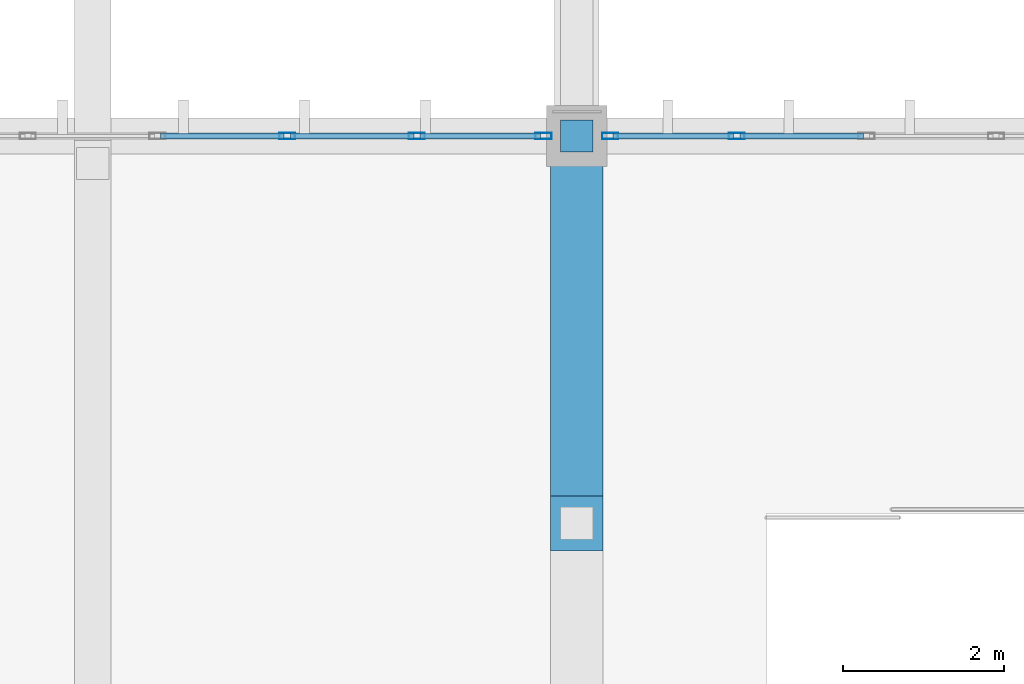
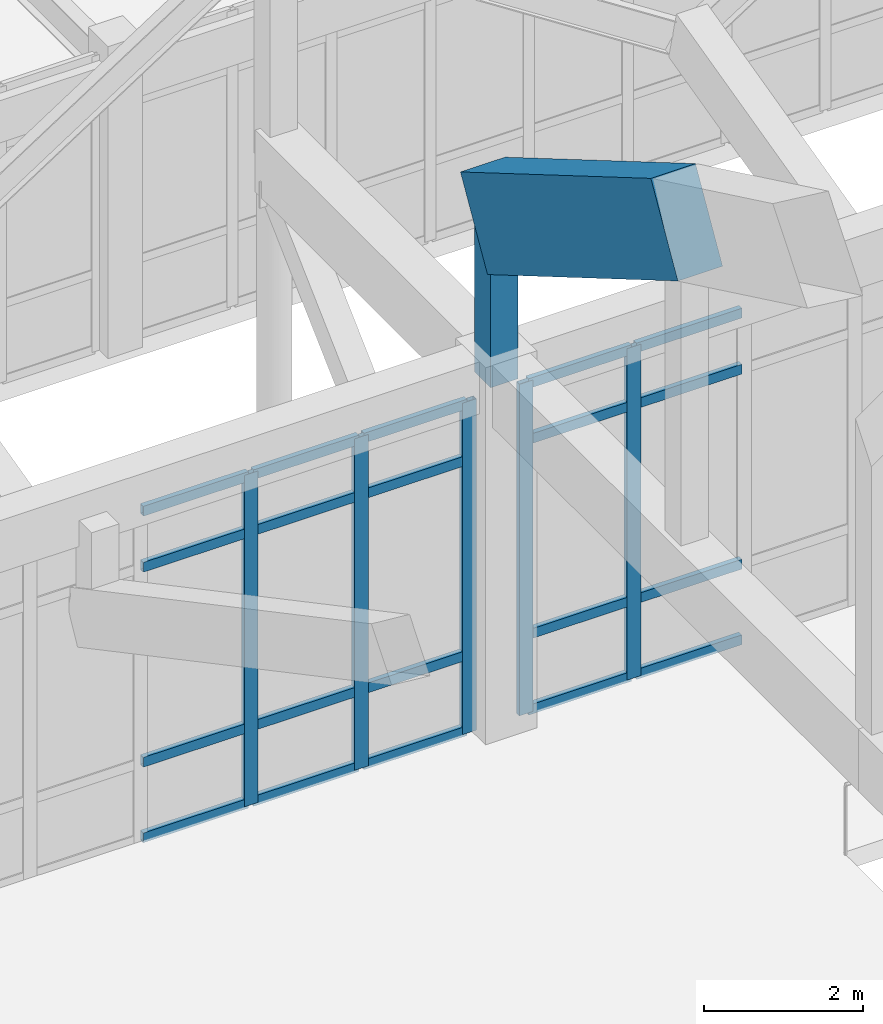
# One storey, part 81 of 236: 27 members, 2 elements without a shape of their own.
"""IFC4 building model written with IfcOpenShell, lengths in metres."""

from ifc_helpers import new_model, si_unit, direction, frame, origin, origin_2d, place, context, subcontext, project, spatial, rectangle, hollow_rectangle, extrude, material, layer, layer_set, material_profile, profile_set, type_object, element, aggregate, save


model = new_model("IFC4")

# Units and contexts
model_context = context("Model", 3, precision=1e-05, world=origin(), true_north=direction((0.0, 1.0)))
body_context = subcontext(model_context, "Body", "Model", "MODEL_VIEW")
ifc_project = project(units=[si_unit("LENGTHUNIT", "METRE"), si_unit("AREAUNIT", "SQUARE_METRE"), si_unit("VOLUMEUNIT", "CUBIC_METRE"), si_unit("PLANEANGLEUNIT", "RADIAN"), si_unit("MASSUNIT", "GRAM", prefix="KILO")], contexts=[model_context])

# Site, building, storey
site_placement = place(None, origin())
site = spatial("IfcSite", under=ifc_project, at=site_placement, CompositionType="ELEMENT")
building_placement = place(site_placement, origin())
building = spatial("IfcBuilding", under=site, at=building_placement, Name="Pandanus Reach Market Hall", CompositionType="ELEMENT")
storey_placement = place(building_placement, frame((0.0, 0.0, 5.39990234375)))
storey = spatial("IfcBuildingStorey", under=building, at=storey_placement, Name="L01", CompositionType="ELEMENT", Elevation=5.39990234375)

# Members
ifc_material_1 = material(Name="Concrete N50 (50 MPa)", Category="concrete")
ifc_material_profile_1 = material_profile(ifc_material_1, rectangle(XDim=0.64990234375, YDim=1.35009765625, at=origin_2d()), Name="RC650x1350", Category="LoadBearing")
ifc_profile_set_1 = profile_set([ifc_material_profile_1], Name="Concrete N50 (50 MPa)")
member_type_1 = type_object("IfcMemberType", Name="AR-RC650-E", PredefinedType="CHORD", material=ifc_profile_set_1)
member_1_placement = place(storey_placement, frame((84.0, 81.60009765625, 10.59130859375), z_axis=(0.0, 0.862886095496, -0.505398443013), x_axis=(-1.0, 0.0, 0.0)))
element("IfcMember", 1, at=member_1_placement, inside=storey, type_object=member_type_1, Name="Parabolic arch top chord A4.12", PredefinedType="CHORD", context=body_context, shape_type="SweptSolid", body=[
    extrude(rectangle(XDim=0.64990234375, YDim=1.35009765625, at=origin_2d()), origin(), (0.0, 0.0, 1.0), 5.5625),
])
ifc_material_profile_2 = material_profile(ifc_material_1, rectangle(XDim=0.39990234375, YDim=0.39990234375, at=origin_2d()), Name="RC400x400", Category="LoadBearing")
ifc_profile_set_2 = profile_set([ifc_material_profile_2], Name="Concrete N50 (50 MPa)")
member_type_2 = type_object("IfcMemberType", Name="AR-WEB400-E", PredefinedType="STRUT", material=ifc_profile_set_2)
member_2_placement = place(storey_placement, frame((84.0, 86.39990234375, 5.3251953125), z_axis=(0.0, 0.0, 1.0), x_axis=(1.0, 0.0, 0.0)))
element("IfcMember", 2, at=member_2_placement, inside=storey, type_object=member_type_2, Name="Arch springing concrete strut A4.N", PredefinedType="STRUT", context=body_context, shape_type="SweptSolid", body=[
    extrude(rectangle(XDim=0.39990234375, YDim=0.39990234375, at=origin_2d()), origin(), (0.0, 0.0, 1.0), 2.454833984375),
])

# Curtain wall, members
ifc_material_2 = material(Name="Bronze anodised aluminium and low-E glass", Category="aluminium")
ifc_layer = layer(ifc_material_2, 0.199951171875, Name="CW-02")
ifc_layer_set = layer_set([ifc_layer], Name="Bronze anodised aluminium and low-E glass")
curtain_wall_type = type_object("IfcCurtainWallType", Name="CW-02", PredefinedType="NOTDEFINED", material=ifc_layer_set)
curtain_wall_1_placement = place(storey_placement, origin())
curtain_wall_1 = element("IfcCurtainWall", 3, at=curtain_wall_1_placement, inside=storey, type_object=curtain_wall_type, Name="Glazed curtain wall CW-02 CW-0012", PredefinedType="NOTDEFINED")
ifc_material_3 = material(Name="Bronze anodised aluminium", Category="aluminium")
ifc_material_profile_3 = material_profile(ifc_material_3, hollow_rectangle(XDim=0.074951171875, YDim=0.199951171875, WallThickness=0.00439453125, at=origin_2d()), Name="ALU75x200", Category="LoadBearing")
ifc_profile_set_3 = profile_set([ifc_material_profile_3], Name="Bronze anodised aluminium")
member_type_3 = type_object("IfcMemberType", Name="CW-M2", PredefinedType="MULLION", material=ifc_profile_set_3)
member_3_placement = place(storey_placement, frame((80.41064453125, 86.39990234375, 0.0), z_axis=(0.0, 0.0, 1.0), x_axis=(0.0, 1.0, 0.0)))
member_3 = element("IfcMember", 4, at=member_3_placement, type_object=member_type_3, Name="CW-02 mullion 6", PredefinedType="MULLION", context=body_context, shape_type="SweptSolid", body=[
    extrude(hollow_rectangle(XDim=0.074951171875, YDim=0.199951171875, WallThickness=0.00439453125, at=origin_2d()), origin(), (0.0, 0.0, 1.0), 5.10009765625),
])
member_4_placement = place(storey_placement, frame((82.017822265625, 86.39990234375, 0.0), z_axis=(0.0, 0.0, 1.0), x_axis=(0.0, 1.0, 0.0)))
member_4 = element("IfcMember", 5, at=member_4_placement, type_object=member_type_3, Name="CW-02 mullion 7", PredefinedType="MULLION", context=body_context, shape_type="SweptSolid", body=[
    extrude(hollow_rectangle(XDim=0.074951171875, YDim=0.199951171875, WallThickness=0.00439453125, at=origin_2d()), origin(), (0.0, 0.0, 1.0), 5.10009765625),
])
member_5_placement = place(storey_placement, frame((83.58740234375, 86.39990234375, 0.0), z_axis=(0.0, 0.0, 1.0), x_axis=(0.0, 1.0, 0.0)))
member_5 = element("IfcMember", 6, at=member_5_placement, type_object=member_type_3, Name="CW-02 mullion 8", PredefinedType="MULLION", context=body_context, shape_type="SweptSolid", body=[
    extrude(hollow_rectangle(XDim=0.074951171875, YDim=0.199951171875, WallThickness=0.00439453125, at=origin_2d()), origin(), (0.0, 0.0, 1.0), 5.10009765625),
])

curtain_wall_2_placement = place(storey_placement, origin())
curtain_wall_2 = element("IfcCurtainWall", 7, at=curtain_wall_2_placement, inside=storey, type_object=curtain_wall_type, Name="Glazed curtain wall CW-02 CW-0013", PredefinedType="NOTDEFINED")
member_6_placement = place(storey_placement, frame((84.41259765625, 86.39990234375, 0.0), z_axis=(0.0, 0.0, 1.0), x_axis=(0.0, 1.0, 0.0)))
member_6 = element("IfcMember", 8, at=member_6_placement, type_object=member_type_3, Name="CW-02 mullion 1", PredefinedType="MULLION", context=body_context, shape_type="SweptSolid", body=[
    extrude(hollow_rectangle(XDim=0.074951171875, YDim=0.199951171875, WallThickness=0.00439453125, at=origin_2d()), origin(), (0.0, 0.0, 1.0), 5.10009765625),
])
member_7_placement = place(storey_placement, frame((85.982177734375, 86.39990234375, 0.0), z_axis=(0.0, 0.0, 1.0), x_axis=(0.0, 1.0, 0.0)))
member_7 = element("IfcMember", 9, at=member_7_placement, type_object=member_type_3, Name="CW-02 mullion 2", PredefinedType="MULLION", context=body_context, shape_type="SweptSolid", body=[
    extrude(hollow_rectangle(XDim=0.074951171875, YDim=0.199951171875, WallThickness=0.00439453125, at=origin_2d()), origin(), (0.0, 0.0, 1.0), 5.10009765625),
])

# Member
ifc_material_profile_4 = material_profile(ifc_material_3, hollow_rectangle(XDim=0.074951171875, YDim=0.14990234375, WallThickness=0.00439453125, at=origin_2d()), Name="ALU75x150", Category="LoadBearing")
ifc_profile_set_4 = profile_set([ifc_material_profile_4], Name="Bronze anodised aluminium")
member_type_4 = type_object("IfcMemberType", Name="CW-T2", PredefinedType="USERDEFINED", material=ifc_profile_set_4)
member_8_placement = place(storey_placement, frame((78.841064453125, 86.39990234375, 0.03759765625), z_axis=(1.0, 0.0, 0.0), x_axis=(0.0, 1.0, 0.0)))
member_8 = element("IfcMember", 10, at=member_8_placement, type_object=member_type_4, Name="CW-02 transom 5.1", ObjectType="TRANSOM", PredefinedType="USERDEFINED", context=body_context, shape_type="SweptSolid", body=[
    extrude(hollow_rectangle(XDim=0.074951171875, YDim=0.14990234375, WallThickness=0.00439453125, at=origin_2d()), origin(), (0.0, 0.0, 1.0), 1.5322265625),
])

member_9_placement = place(storey_placement, frame((78.841064453125, 86.39990234375, 1.2001953125), z_axis=(1.0, 0.0, 0.0), x_axis=(0.0, 1.0, 0.0)))
member_9 = element("IfcMember", 11, at=member_9_placement, type_object=member_type_4, Name="CW-02 transom 5.2", ObjectType="TRANSOM", PredefinedType="USERDEFINED", context=body_context, shape_type="SweptSolid", body=[
    extrude(hollow_rectangle(XDim=0.074951171875, YDim=0.14990234375, WallThickness=0.00439453125, at=origin_2d()), origin(), (0.0, 0.0, 1.0), 1.5322265625),
])

member_10_placement = place(storey_placement, frame((78.841064453125, 86.39990234375, 4.2001953125), z_axis=(1.0, 0.0, 0.0), x_axis=(0.0, 1.0, 0.0)))
member_10 = element("IfcMember", 12, at=member_10_placement, type_object=member_type_4, Name="CW-02 transom 5.3", ObjectType="TRANSOM", PredefinedType="USERDEFINED", context=body_context, shape_type="SweptSolid", body=[
    extrude(hollow_rectangle(XDim=0.074951171875, YDim=0.14990234375, WallThickness=0.00439453125, at=origin_2d()), origin(), (0.0, 0.0, 1.0), 1.5322265625),
])

member_11_placement = place(storey_placement, frame((78.841064453125, 86.39990234375, 5.0625), z_axis=(1.0, 0.0, 0.0), x_axis=(0.0, 1.0, 0.0)))
member_11 = element("IfcMember", 13, at=member_11_placement, type_object=member_type_4, Name="CW-02 transom 5.4", ObjectType="TRANSOM", PredefinedType="USERDEFINED", context=body_context, shape_type="SweptSolid", body=[
    extrude(hollow_rectangle(XDim=0.074951171875, YDim=0.14990234375, WallThickness=0.00439453125, at=origin_2d()), origin(), (0.0, 0.0, 1.0), 1.5322265625),
])

member_12_placement = place(storey_placement, frame((80.4482421875, 86.39990234375, 0.03759765625), z_axis=(1.0, 0.0, 0.0), x_axis=(0.0, 1.0, 0.0)))
member_12 = element("IfcMember", 14, at=member_12_placement, type_object=member_type_4, Name="CW-02 transom 6.1", ObjectType="TRANSOM", PredefinedType="USERDEFINED", context=body_context, shape_type="SweptSolid", body=[
    extrude(hollow_rectangle(XDim=0.074951171875, YDim=0.14990234375, WallThickness=0.00439453125, at=origin_2d()), origin(), (0.0, 0.0, 1.0), 1.5322265625),
])

member_13_placement = place(storey_placement, frame((80.4482421875, 86.39990234375, 1.2001953125), z_axis=(1.0, 0.0, 0.0), x_axis=(0.0, 1.0, 0.0)))
member_13 = element("IfcMember", 15, at=member_13_placement, type_object=member_type_4, Name="CW-02 transom 6.2", ObjectType="TRANSOM", PredefinedType="USERDEFINED", context=body_context, shape_type="SweptSolid", body=[
    extrude(hollow_rectangle(XDim=0.074951171875, YDim=0.14990234375, WallThickness=0.00439453125, at=origin_2d()), origin(), (0.0, 0.0, 1.0), 1.5322265625),
])

member_14_placement = place(storey_placement, frame((80.4482421875, 86.39990234375, 4.2001953125), z_axis=(1.0, 0.0, 0.0), x_axis=(0.0, 1.0, 0.0)))
member_14 = element("IfcMember", 16, at=member_14_placement, type_object=member_type_4, Name="CW-02 transom 6.3", ObjectType="TRANSOM", PredefinedType="USERDEFINED", context=body_context, shape_type="SweptSolid", body=[
    extrude(hollow_rectangle(XDim=0.074951171875, YDim=0.14990234375, WallThickness=0.00439453125, at=origin_2d()), origin(), (0.0, 0.0, 1.0), 1.5322265625),
])

member_15_placement = place(storey_placement, frame((80.4482421875, 86.39990234375, 5.0625), z_axis=(1.0, 0.0, 0.0), x_axis=(0.0, 1.0, 0.0)))
member_15 = element("IfcMember", 17, at=member_15_placement, type_object=member_type_4, Name="CW-02 transom 6.4", ObjectType="TRANSOM", PredefinedType="USERDEFINED", context=body_context, shape_type="SweptSolid", body=[
    extrude(hollow_rectangle(XDim=0.074951171875, YDim=0.14990234375, WallThickness=0.00439453125, at=origin_2d()), origin(), (0.0, 0.0, 1.0), 1.5322265625),
])

member_16_placement = place(storey_placement, frame((82.055419921875, 86.39990234375, 0.03759765625), z_axis=(1.0, 0.0, 0.0), x_axis=(0.0, 1.0, 0.0)))
member_16 = element("IfcMember", 18, at=member_16_placement, type_object=member_type_4, Name="CW-02 transom 7.1", ObjectType="TRANSOM", PredefinedType="USERDEFINED", context=body_context, shape_type="SweptSolid", body=[
    extrude(hollow_rectangle(XDim=0.074951171875, YDim=0.14990234375, WallThickness=0.00439453125, at=origin_2d()), origin(), (0.0, 0.0, 1.0), 1.49462890625),
])

member_17_placement = place(storey_placement, frame((82.055419921875, 86.39990234375, 1.2001953125), z_axis=(1.0, 0.0, 0.0), x_axis=(0.0, 1.0, 0.0)))
member_17 = element("IfcMember", 19, at=member_17_placement, type_object=member_type_4, Name="CW-02 transom 7.2", ObjectType="TRANSOM", PredefinedType="USERDEFINED", context=body_context, shape_type="SweptSolid", body=[
    extrude(hollow_rectangle(XDim=0.074951171875, YDim=0.14990234375, WallThickness=0.00439453125, at=origin_2d()), origin(), (0.0, 0.0, 1.0), 1.49462890625),
])

member_18_placement = place(storey_placement, frame((82.055419921875, 86.39990234375, 4.2001953125), z_axis=(1.0, 0.0, 0.0), x_axis=(0.0, 1.0, 0.0)))
member_18 = element("IfcMember", 20, at=member_18_placement, type_object=member_type_4, Name="CW-02 transom 7.3", ObjectType="TRANSOM", PredefinedType="USERDEFINED", context=body_context, shape_type="SweptSolid", body=[
    extrude(hollow_rectangle(XDim=0.074951171875, YDim=0.14990234375, WallThickness=0.00439453125, at=origin_2d()), origin(), (0.0, 0.0, 1.0), 1.49462890625),
])

member_19_placement = place(storey_placement, frame((82.055419921875, 86.39990234375, 5.0625), z_axis=(1.0, 0.0, 0.0), x_axis=(0.0, 1.0, 0.0)))
member_19 = element("IfcMember", 21, at=member_19_placement, type_object=member_type_4, Name="CW-02 transom 7.4", ObjectType="TRANSOM", PredefinedType="USERDEFINED", context=body_context, shape_type="SweptSolid", body=[
    extrude(hollow_rectangle(XDim=0.074951171875, YDim=0.14990234375, WallThickness=0.00439453125, at=origin_2d()), origin(), (0.0, 0.0, 1.0), 1.49462890625),
])

aggregate(curtain_wall_1, [member_3, member_4, member_5, member_8, member_9, member_10, member_11, member_12, member_13, member_14, member_15, member_16, member_17, member_18, member_19])

member_20_placement = place(storey_placement, frame((84.449951171875, 86.39990234375, 0.03759765625), z_axis=(1.0, 0.0, 0.0), x_axis=(0.0, 1.0, 0.0)))
member_20 = element("IfcMember", 22, at=member_20_placement, type_object=member_type_4, Name="CW-02 transom 1.1", ObjectType="TRANSOM", PredefinedType="USERDEFINED", context=body_context, shape_type="SweptSolid", body=[
    extrude(hollow_rectangle(XDim=0.074951171875, YDim=0.14990234375, WallThickness=0.00439453125, at=origin_2d()), origin(), (0.0, 0.0, 1.0), 1.49462890625),
])

member_21_placement = place(storey_placement, frame((84.449951171875, 86.39990234375, 1.2001953125), z_axis=(1.0, 0.0, 0.0), x_axis=(0.0, 1.0, 0.0)))
member_21 = element("IfcMember", 23, at=member_21_placement, type_object=member_type_4, Name="CW-02 transom 1.2", ObjectType="TRANSOM", PredefinedType="USERDEFINED", context=body_context, shape_type="SweptSolid", body=[
    extrude(hollow_rectangle(XDim=0.074951171875, YDim=0.14990234375, WallThickness=0.00439453125, at=origin_2d()), origin(), (0.0, 0.0, 1.0), 1.49462890625),
])

member_22_placement = place(storey_placement, frame((84.449951171875, 86.39990234375, 4.2001953125), z_axis=(1.0, 0.0, 0.0), x_axis=(0.0, 1.0, 0.0)))
member_22 = element("IfcMember", 24, at=member_22_placement, type_object=member_type_4, Name="CW-02 transom 1.3", ObjectType="TRANSOM", PredefinedType="USERDEFINED", context=body_context, shape_type="SweptSolid", body=[
    extrude(hollow_rectangle(XDim=0.074951171875, YDim=0.14990234375, WallThickness=0.00439453125, at=origin_2d()), origin(), (0.0, 0.0, 1.0), 1.49462890625),
])

member_23_placement = place(storey_placement, frame((84.449951171875, 86.39990234375, 5.0625), z_axis=(1.0, 0.0, 0.0), x_axis=(0.0, 1.0, 0.0)))
member_23 = element("IfcMember", 25, at=member_23_placement, type_object=member_type_4, Name="CW-02 transom 1.4", ObjectType="TRANSOM", PredefinedType="USERDEFINED", context=body_context, shape_type="SweptSolid", body=[
    extrude(hollow_rectangle(XDim=0.074951171875, YDim=0.14990234375, WallThickness=0.00439453125, at=origin_2d()), origin(), (0.0, 0.0, 1.0), 1.49462890625),
])

member_24_placement = place(storey_placement, frame((86.01953125, 86.39990234375, 0.03759765625), z_axis=(1.0, 0.0, 0.0), x_axis=(0.0, 1.0, 0.0)))
member_24 = element("IfcMember", 26, at=member_24_placement, type_object=member_type_4, Name="CW-02 transom 2.1", ObjectType="TRANSOM", PredefinedType="USERDEFINED", context=body_context, shape_type="SweptSolid", body=[
    extrude(hollow_rectangle(XDim=0.074951171875, YDim=0.14990234375, WallThickness=0.00439453125, at=origin_2d()), origin(), (0.0, 0.0, 1.0), 1.5322265625),
])

member_25_placement = place(storey_placement, frame((86.01953125, 86.39990234375, 1.2001953125), z_axis=(1.0, 0.0, 0.0), x_axis=(0.0, 1.0, 0.0)))
member_25 = element("IfcMember", 27, at=member_25_placement, type_object=member_type_4, Name="CW-02 transom 2.2", ObjectType="TRANSOM", PredefinedType="USERDEFINED", context=body_context, shape_type="SweptSolid", body=[
    extrude(hollow_rectangle(XDim=0.074951171875, YDim=0.14990234375, WallThickness=0.00439453125, at=origin_2d()), origin(), (0.0, 0.0, 1.0), 1.5322265625),
])

member_26_placement = place(storey_placement, frame((86.01953125, 86.39990234375, 4.2001953125), z_axis=(1.0, 0.0, 0.0), x_axis=(0.0, 1.0, 0.0)))
member_26 = element("IfcMember", 28, at=member_26_placement, type_object=member_type_4, Name="CW-02 transom 2.3", ObjectType="TRANSOM", PredefinedType="USERDEFINED", context=body_context, shape_type="SweptSolid", body=[
    extrude(hollow_rectangle(XDim=0.074951171875, YDim=0.14990234375, WallThickness=0.00439453125, at=origin_2d()), origin(), (0.0, 0.0, 1.0), 1.5322265625),
])

member_27_placement = place(storey_placement, frame((86.01953125, 86.39990234375, 5.0625), z_axis=(1.0, 0.0, 0.0), x_axis=(0.0, 1.0, 0.0)))
member_27 = element("IfcMember", 29, at=member_27_placement, type_object=member_type_4, Name="CW-02 transom 2.4", ObjectType="TRANSOM", PredefinedType="USERDEFINED", context=body_context, shape_type="SweptSolid", body=[
    extrude(hollow_rectangle(XDim=0.074951171875, YDim=0.14990234375, WallThickness=0.00439453125, at=origin_2d()), origin(), (0.0, 0.0, 1.0), 1.5322265625),
])

aggregate(curtain_wall_2, [member_6, member_7, member_20, member_21, member_22, member_23, member_24, member_25, member_26, member_27])

save(model, "model.ifc")
